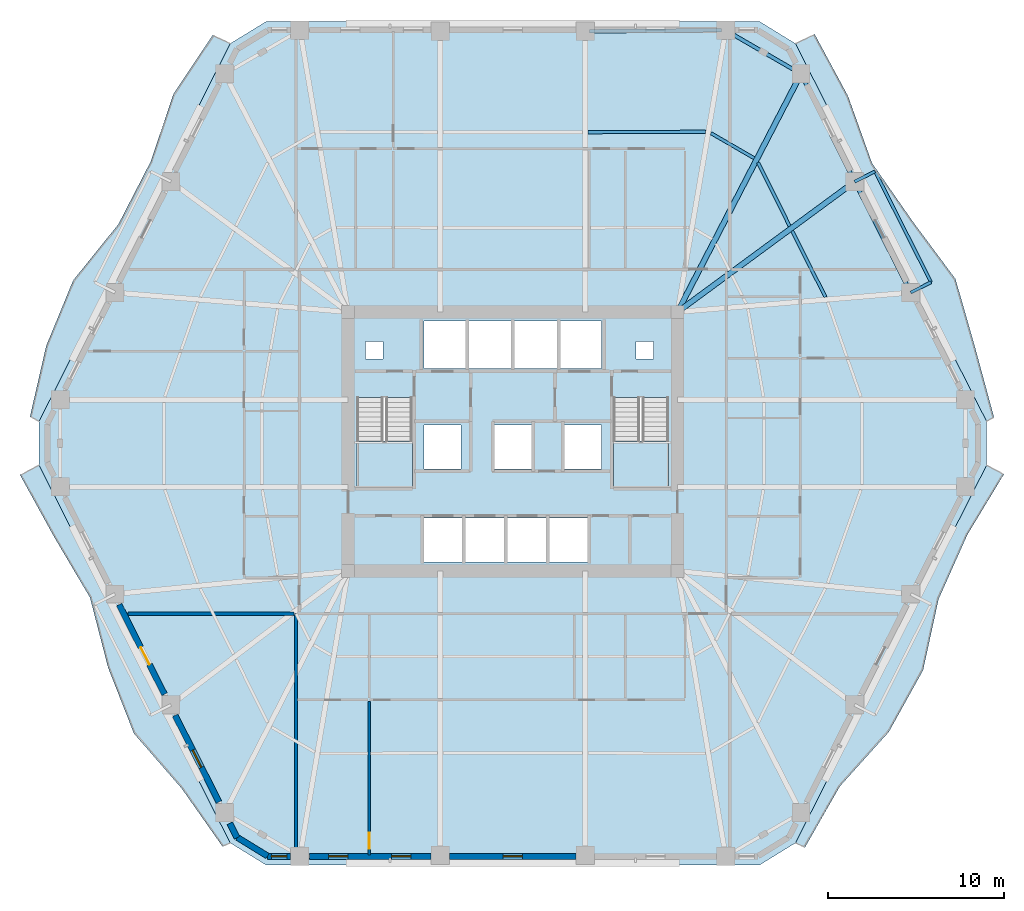
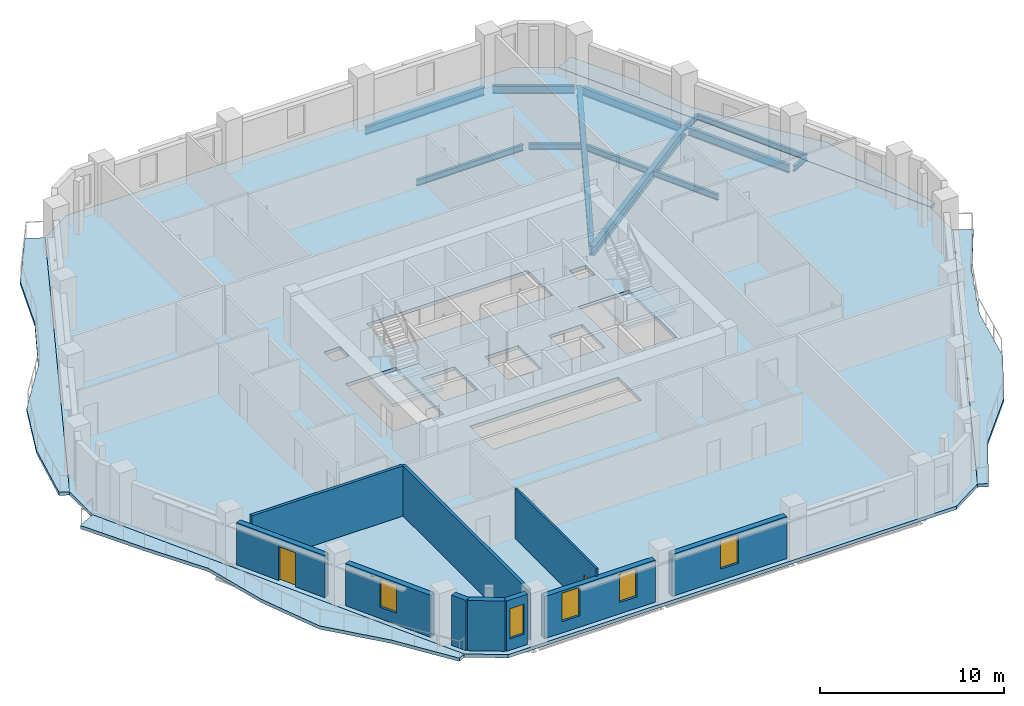
# One storey, part 3 of 13: 13 beams, 10 walls, 7 slabs, 5 windows, 2 doors, 7 openings, 2 elements without a shape of their own.
"""IFC4 building model written with IfcOpenShell, lengths in metres."""

from ifc_helpers import new_model, si_unit, direction, frame, frame_2d, origin, origin_2d, place, context, subcontext, project, spatial, polyline, rectangle, i_section, outline, extrude, material, layer, layer_set, material_profile, profile_set, type_object, element, fill, aggregate, save


model = new_model("IFC4")

# Units and contexts
model_context = context("Model", 3, precision=1e-05, world=origin(), true_north=direction((0.0, 1.0)))
body_context = subcontext(model_context, "Body", "Model", "MODEL_VIEW")
ifc_project = project(units=[si_unit("LENGTHUNIT", "METRE"), si_unit("AREAUNIT", "SQUARE_METRE"), si_unit("VOLUMEUNIT", "CUBIC_METRE"), si_unit("PLANEANGLEUNIT", "RADIAN"), si_unit("MASSUNIT", "GRAM", prefix="KILO")], contexts=[model_context])

# Site, building, storey
site_placement = place(None, origin())
site = spatial("IfcSite", under=ifc_project, at=site_placement, CompositionType="ELEMENT")
building_placement = place(site_placement, origin())
building = spatial("IfcBuilding", under=site, at=building_placement, Name="Cinnabar Lancet Tower", CompositionType="ELEMENT")
storey_placement = place(building_placement, frame((0.0, 0.0, 83.550048828125)))
storey = spatial("IfcBuildingStorey", under=building, at=storey_placement, Name="L21", CompositionType="ELEMENT", Elevation=83.550048828125)

# Beams
ifc_material_1 = material(Name="Structural steel S355", Category="steel")
ifc_material_profile_1 = material_profile(ifc_material_1, i_section(OverallWidth=0.177978515625, OverallDepth=0.406494140625, WebThickness=0.0078125, FlangeThickness=0.0126953125, FilletRadius=0.01025390625, at=origin_2d()), Name="UKB 406x178x60")
ifc_profile_set_1 = profile_set([ifc_material_profile_1], Name="Structural steel S355")
beam_type_1 = type_object("IfcBeamType", Name="STR-BM-JST-406", PredefinedType="JOIST", material=ifc_profile_set_1)
beam_1_placement = place(storey_placement, frame((50.194091796875, 34.1298828125, -0.423095703125), z_axis=(-0.450810882677, 0.892619486713, 0.0), x_axis=(-0.892619486713, -0.450810882677, 0.0)))
element("IfcBeam", 1, at=beam_1_placement, inside=storey, type_object=beam_type_1, Name="L21 Secondary Floor Joist 27", PredefinedType="JOIST", context=body_context, shape_type="SweptSolid", body=[
    extrude(i_section(OverallWidth=0.177978515625, OverallDepth=0.406494140625, WebThickness=0.0078125, FlangeThickness=0.0126953125, FilletRadius=0.01025390625, at=origin_2d()), origin(), (0.0, 0.0, 1.0), 4.20361328125),
])
beam_2_placement = place(storey_placement, frame((48.158935546875, 38.160888671875, -0.423095703125), z_axis=(-0.445714564636, 0.895175137541, 0.0), x_axis=(-0.895175137541, -0.445714564636, 0.0)))
element("IfcBeam", 2, at=beam_2_placement, inside=storey, type_object=beam_type_1, Name="L21 Secondary Floor Joist 29", PredefinedType="JOIST", context=body_context, shape_type="SweptSolid", body=[
    extrude(i_section(OverallWidth=0.177978515625, OverallDepth=0.406494140625, WebThickness=0.0078125, FlangeThickness=0.0126953125, FilletRadius=0.01025390625, at=origin_2d()), origin(), (0.0, 0.0, 1.0), 4.040771484375),
])
beam_3_placement = place(storey_placement, frame((46.139892578125, 42.02490234375, -0.423095703125), z_axis=(-0.865054959429, 0.501677104489, 0.0), x_axis=(-0.501677104489, -0.865054959429, 0.0)))
element("IfcBeam", 3, at=beam_3_placement, inside=storey, type_object=beam_type_1, Name="L21 Secondary Floor Joist 31", PredefinedType="JOIST", context=body_context, shape_type="SweptSolid", body=[
    extrude(i_section(OverallWidth=0.177978515625, OverallDepth=0.406494140625, WebThickness=0.0078125, FlangeThickness=0.0126953125, FilletRadius=0.01025390625, at=origin_2d()), origin(), (0.0, 0.0, 1.0), 2.852783203125),
])
beam_4_placement = place(storey_placement, frame((43.3740234375, 43.537109375, -0.423095703125), z_axis=(-0.999988425549, -0.004811316646, 0.0), x_axis=(0.004811316646, -0.999988425549, 0.0)))
element("IfcBeam", 4, at=beam_4_placement, inside=storey, type_object=beam_type_1, Name="L21 Secondary Floor Joist 33", PredefinedType="JOIST", context=body_context, shape_type="SweptSolid", body=[
    extrude(i_section(OverallWidth=0.177978515625, OverallDepth=0.406494140625, WebThickness=0.0078125, FlangeThickness=0.0126953125, FilletRadius=0.01025390625, at=origin_2d()), origin(), (0.0, 0.0, 1.0), 6.697998046875),
])
ifc_material_2 = material(Name="Structural steel S355", Category="steel")
ifc_material_profile_2 = material_profile(ifc_material_2, i_section(OverallWidth=0.209228515625, OverallDepth=0.533203125, WebThickness=0.010009765625, FlangeThickness=0.015625, FilletRadius=0.0126953125, at=origin_2d()), Name="UKB 533x210x92")
ifc_profile_set_2 = profile_set([ifc_material_profile_2], Name="Structural steel S355")
beam_type_2 = type_object("IfcBeamType", Name="STR-BM-SPN-533", PredefinedType="SPANDREL", material=ifc_profile_set_2)
beam_5_placement = place(storey_placement, frame((54.93310546875, 34.60302734375, -0.487060546875), z_axis=(-0.450703143926, 0.892673891214, 0.0), x_axis=(-0.892673891214, -0.450703143926, 0.0)))
element("IfcBeam", 5, at=beam_5_placement, inside=storey, type_object=beam_type_2, Name="L21 Perimeter Spandrel 10", PredefinedType="SPANDREL", context=body_context, shape_type="SweptSolid", body=[
    extrude(i_section(OverallWidth=0.209228515625, OverallDepth=0.533203125, WebThickness=0.010009765625, FlangeThickness=0.015625, FilletRadius=0.0126953125, at=origin_2d()), origin(), (0.0, 0.0, 1.0), 6.570068359375),
])
beam_6_placement = place(storey_placement, frame((51.748046875, 40.9150390625, -0.487060546875), z_axis=(-0.445953050023, 0.89505635419, 0.0), x_axis=(-0.89505635419, -0.445953050023, 0.0)))
element("IfcBeam", 6, at=beam_6_placement, inside=storey, type_object=beam_type_2, Name="L21 Perimeter Spandrel 11", PredefinedType="SPANDREL", context=body_context, shape_type="SweptSolid", body=[
    extrude(i_section(OverallWidth=0.209228515625, OverallDepth=0.533203125, WebThickness=0.010009765625, FlangeThickness=0.015625, FilletRadius=0.0126953125, at=origin_2d()), origin(), (0.0, 0.0, 1.0), 6.35498046875),
])
beam_7_placement = place(storey_placement, frame((48.5869140625, 46.951904296875, -0.487060546875), z_axis=(-0.865147238596, 0.501517951374, 0.0), x_axis=(-0.501517951374, -0.865147238596, 0.0)))
element("IfcBeam", 7, at=beam_7_placement, inside=storey, type_object=beam_type_2, Name="L21 Perimeter Spandrel 12", PredefinedType="SPANDREL", context=body_context, shape_type="SweptSolid", body=[
    extrude(i_section(OverallWidth=0.209228515625, OverallDepth=0.533203125, WebThickness=0.010009765625, FlangeThickness=0.015625, FilletRadius=0.0126953125, at=origin_2d()), origin(), (0.0, 0.0, 1.0), 4.454833984375),
])
beam_8_placement = place(storey_placement, frame((44.26708984375, 49.30908203125, -0.487060546875), z_axis=(-0.99997856757, -0.006547090947, 0.0), x_axis=(0.006547090947, -0.99997856757, 0.0)))
element("IfcBeam", 8, at=beam_8_placement, inside=storey, type_object=beam_type_2, Name="L21 Perimeter Spandrel 13", PredefinedType="SPANDREL", context=body_context, shape_type="SweptSolid", body=[
    extrude(i_section(OverallWidth=0.209228515625, OverallDepth=0.533203125, WebThickness=0.010009765625, FlangeThickness=0.015625, FilletRadius=0.0126953125, at=origin_2d()), origin(), (0.0, 0.0, 1.0), 7.495361328125),
])
ifc_material_3 = material(Name="Structural steel S355", Category="steel")
ifc_material_profile_3 = material_profile(ifc_material_3, i_section(OverallWidth=0.30712890625, OverallDepth=0.6201171875, WebThickness=0.01416015625, FlangeThickness=0.023681640625, FilletRadius=0.0166015625, at=origin_2d()), Name="UKB 610x305x179")
ifc_profile_set_3 = profile_set([ifc_material_profile_3], Name="Structural steel S355")
beam_type_3 = type_object("IfcBeamType", Name="STR-BM-UKB610-179", PredefinedType="BEAM", material=ifc_profile_set_3)
beam_9_placement = place(storey_placement, frame((51.85888671875, 40.69091796875, -0.530029296875), z_axis=(-0.805600633978, -0.592458959367, 0.0), x_axis=(0.592458959367, -0.805600633978, 0.0)))
element("IfcBeam", 9, at=beam_9_placement, inside=storey, type_object=beam_type_3, Name="L21 Corner Collector Girder 3", PredefinedType="BEAM", context=body_context, shape_type="SweptSolid", body=[
    extrude(i_section(OverallWidth=0.30712890625, OverallDepth=0.6201171875, WebThickness=0.01416015625, FlangeThickness=0.023681640625, FilletRadius=0.0166015625, at=origin_2d()), origin(), (0.0, 0.0, 1.0), 12.517333984375),
])
beam_10_placement = place(storey_placement, frame((48.802978515625, 46.826904296875, -0.530029296875), z_axis=(-0.4603745807, -0.887724757706, 0.0), x_axis=(0.887724757706, -0.4603745807, 0.0)))
element("IfcBeam", 10, at=beam_10_placement, inside=storey, type_object=beam_type_3, Name="L21 Primary Floor Girder 12", PredefinedType="BEAM", context=body_context, shape_type="SweptSolid", body=[
    extrude(i_section(OverallWidth=0.30712890625, OverallDepth=0.6201171875, WebThickness=0.01416015625, FlangeThickness=0.023681640625, FilletRadius=0.0166015625, at=origin_2d()), origin(), (0.0, 0.0, 1.0), 15.26611328125),
])
ifc_material_4 = material(Name="Structural steel S355", Category="steel")
ifc_material_profile_4 = material_profile(ifc_material_4, i_section(OverallWidth=0.17138671875, OverallDepth=0.35498046875, WebThickness=0.00732421875, FlangeThickness=0.011474609375, FilletRadius=0.01025390625, at=origin_2d()), Name="UKB 356x171x51")
ifc_profile_set_4 = profile_set([ifc_material_profile_4], Name="Structural steel S355")
beam_type_4 = type_object("IfcBeamType", Name="STR-BM-WAV-OUT", PredefinedType="BEAM", material=ifc_profile_set_4)
for number, where, z_axis, x_axis, name in (
    (11, (55.0458984375, 34.3798828125, -0.39697265625), (0.892238560088, 0.451564338597, 0.0), (-0.451564338597, 0.892238560088, 0.0), "L21 Face 3 Balcony Outlooker A"),
    (12, (51.85888671875, 40.69091796875, -0.39697265625), (0.892238560088, 0.451564338597, 0.0), (-0.451564338597, 0.892238560088, 0.0), "L21 Face 3 Balcony Outlooker B"),
):
    element("IfcBeam", number, at=place(storey_placement, frame(where, z_axis=z_axis, x_axis=x_axis)), inside=storey, type_object=beam_type_4, Name=name, PredefinedType="BEAM", context=body_context, shape_type="SweptSolid", body=[
        extrude(i_section(OverallWidth=0.17138671875, OverallDepth=0.35498046875, WebThickness=0.00732421875, FlangeThickness=0.011474609375, FilletRadius=0.01025390625, at=origin_2d()), origin(), (0.0, 0.0, 1.0), 1.30029296875),
    ])
ifc_material_5 = material(Name="Structural steel S355", Category="steel")
ifc_material_profile_5 = material_profile(ifc_material_5, i_section(OverallWidth=0.17138671875, OverallDepth=0.35498046875, WebThickness=0.00732421875, FlangeThickness=0.011474609375, FilletRadius=0.01025390625, at=origin_2d()), Name="UKB 356x171x51")
ifc_profile_set_5 = profile_set([ifc_material_profile_5], Name="Structural steel S355")
beam_type_5 = type_object("IfcBeamType", Name="STR-BM-WAV-TRIM", PredefinedType="SPANDREL", material=ifc_profile_set_5)
beam_11_placement = place(storey_placement, frame((56.2060546875, 34.967041015625, -0.39697265625), z_axis=(-0.450773692627, 0.892638268301, 0.0), x_axis=(-0.892638268301, -0.450773692627, 0.0)))
element("IfcBeam", 13, at=beam_11_placement, inside=storey, type_object=beam_type_5, Name="L21 Face 3 Balcony Edge Trimmer", PredefinedType="SPANDREL", context=body_context, shape_type="SweptSolid", body=[
    extrude(i_section(OverallWidth=0.17138671875, OverallDepth=0.35498046875, WebThickness=0.00732421875, FlangeThickness=0.011474609375, FilletRadius=0.01025390625, at=origin_2d()), origin(), (0.0, 0.0, 1.0), 7.070068359375),
])

# Stair, slab
ifc_material_6 = material(Name="Concrete C40/50", Category="concrete")
stair_type = type_object("IfcStairType", Name="ST-CORE", PredefinedType="HALF_TURN_STAIR", material=ifc_material_6)
stair_1_placement = place(storey_placement, origin())
stair_1 = element("IfcStair", 14, at=stair_1_placement, inside=storey, type_object=stair_type, Name="L21 ST-1", PredefinedType="HALF_TURN_STAIR")
ifc_material_7 = material(Name="Concrete C40/50", Category="concrete")
ifc_layer_1 = layer(ifc_material_7, 0.199951171875)
ifc_layer_set_1 = layer_set([ifc_layer_1], Name="Concrete C40/50")
slab_type_1 = type_object("IfcSlabType", Name="LANDING-CORE", PredefinedType="LANDING", material=ifc_layer_set_1)
slab_1_placement = place(storey_placement, frame((0.0, 0.0, 1.574951171875)))
slab_1 = element("IfcSlab", 15, at=slab_1_placement, type_object=slab_type_1, Name="ST-1 landing 1", PredefinedType="LANDING", context=body_context, shape_type="SweptSolid", body=[
    extrude(outline(polyline([(23.52490234375, 25.925048828125), (23.52490234375, 23.25), (26.675048828125, 23.25), (26.675048828125, 25.925048828125), (23.52490234375, 25.925048828125)])), origin(), (0.0, 0.0, 1.0), 0.199951171875),
])
aggregate(stair_1, [slab_1])

stair_2_placement = place(storey_placement, origin())
stair_2 = element("IfcStair", 16, at=stair_2_placement, inside=storey, type_object=stair_type, Name="L21 ST-2", PredefinedType="HALF_TURN_STAIR")
slab_2_placement = place(storey_placement, frame((0.0, 0.0, 1.574951171875)))
slab_2 = element("IfcSlab", 17, at=slab_2_placement, type_object=slab_type_1, Name="ST-2 landing 1", PredefinedType="LANDING", context=body_context, shape_type="SweptSolid", body=[
    extrude(outline(polyline([(38.125, 25.925048828125), (38.125, 23.25), (41.27490234375, 23.25), (41.27490234375, 25.925048828125), (38.125, 25.925048828125)])), origin(), (0.0, 0.0, 1.0), 0.199951171875),
])
aggregate(stair_2, [slab_2])

# Slabs
ifc_material_8 = material(Name="Concrete C40/50", Category="concrete")
ifc_layer_2 = layer(ifc_material_8, 0.219970703125)
ifc_layer_set_2 = layer_set([ifc_layer_2], Name="Concrete C40/50")
slab_type_2 = type_object("IfcSlabType", Name="STR-SLB-FLR-220", PredefinedType="FLOOR", material=ifc_layer_set_2)
slab_3_placement = place(storey_placement, frame((0.0, 0.0, -0.219970703125)))
element("IfcSlab", 18, at=slab_3_placement, inside=storey, type_object=slab_type_2, Name="L21 Structural Floor Slab", PredefinedType="FLOOR", context=body_context, shape_type="SweptSolid", body=[
    extrude(outline(polyline([(16.31201171875, 3.049072265625), (18.343994140625, 1.800048828125), (46.4560546875, 1.800048828125), (48.488037109375, 3.049072265625), (59.367919921875, 24.551025390625), (59.367919921875, 27.049072265625), (48.488037109375, 48.551025390625), (46.4560546875, 49.800048828125), (18.343994140625, 49.800048828125), (16.31201171875, 48.551025390625), (5.431884765625, 27.049072265625), (5.431884765625, 24.551025390625), (16.31201171875, 3.049072265625)]), holes=[polyline([(23.52490234375, 23.25), (26.675048828125, 23.25), (26.675048828125, 28.3994140625), (23.52490234375, 28.3994140625), (23.52490234375, 23.25)]), polyline([(38.125, 23.25), (41.27490234375, 23.25), (41.27490234375, 28.3994140625), (38.125, 28.3994140625), (38.125, 23.25)]), polyline([(27.35009765625, 30.050048828125), (37.449951171875, 30.050048828125), (37.449951171875, 32.75), (27.35009765625, 32.75), (27.35009765625, 30.050048828125)]), polyline([(27.35009765625, 19.050048828125), (36.64990234375, 19.050048828125), (36.64990234375, 21.550048828125), (27.35009765625, 21.550048828125), (27.35009765625, 19.050048828125)]), polyline([(27.35009765625, 24.35009765625), (29.449951171875, 24.35009765625), (29.449951171875, 26.85009765625), (27.35009765625, 26.85009765625), (27.35009765625, 24.35009765625)]), polyline([(35.35009765625, 24.35009765625), (37.449951171875, 24.35009765625), (37.449951171875, 26.85009765625), (35.35009765625, 26.85009765625), (35.35009765625, 24.35009765625)]), polyline([(31.35009765625, 24.35009765625), (33.449951171875, 24.35009765625), (33.449951171875, 26.85009765625), (31.35009765625, 26.85009765625), (31.35009765625, 24.35009765625)]), polyline([(24.0, 30.60009765625), (25.0, 30.60009765625), (25.0, 31.60009765625), (24.0, 31.60009765625), (24.0, 30.60009765625)]), polyline([(39.39990234375, 30.60009765625), (40.39990234375, 30.60009765625), (40.39990234375, 31.60009765625), (39.39990234375, 31.60009765625), (39.39990234375, 30.60009765625)])]), origin(), (0.0, 0.0, 1.0), 0.219970703125),
])
ifc_material_9 = material(Name="Concrete C45/55", Category="concrete")
ifc_layer_3 = layer(ifc_material_9, 0.219970703125)
ifc_layer_set_3 = layer_set([ifc_layer_3], Name="Concrete C45/55")
slab_type_3 = type_object("IfcSlabType", Name="STR-SLB-WAV-220", PredefinedType="FLOOR", material=ifc_layer_set_3)
slab_4_placement = place(storey_placement, frame((0.0, 0.0, -0.219970703125)))
element("IfcSlab", 19, at=slab_4_placement, inside=storey, type_object=slab_type_3, Name="L21 Face 2 Undulating Wave Balcony Slab", PredefinedType="FLOOR", context=body_context, shape_type="SweptSolid", body=[
    extrude(outline(polyline([(48.488037109375, 3.049072265625), (49.01708984375, 2.781005859375), (51.013916015625, 6.27197265625), (53.797119140625, 9.364990234375), (55.75, 12.8779296875), (56.634033203125, 16.931884765625), (58.27490234375, 20.60302734375), (60.35888671875, 24.050048828125), (59.367919921875, 24.551025390625), (48.488037109375, 3.049072265625)])), origin(), (0.0, 0.0, 1.0), 0.219970703125),
])
slab_5_placement = place(storey_placement, frame((0.0, 0.0, -0.219970703125)))
element("IfcSlab", 20, at=slab_5_placement, inside=storey, type_object=slab_type_3, Name="L21 Face 3 Undulating Wave Balcony Slab", PredefinedType="FLOOR", context=body_context, shape_type="SweptSolid", body=[
    extrude(outline(polyline([(59.367919921875, 27.049072265625), (59.79296875, 27.263916015625), (58.720947265625, 31.222900390625), (57.594970703125, 35.154052734375), (55.162109375, 38.424072265625), (52.843017578125, 41.751953125), (51.47900390625, 45.56298828125), (49.571044921875, 49.09912109375), (48.488037109375, 48.551025390625), (59.367919921875, 27.049072265625)])), origin(), (0.0, 0.0, 1.0), 0.219970703125),
])
slab_6_placement = place(storey_placement, frame((0.0, 0.0, -0.219970703125)))
element("IfcSlab", 21, at=slab_6_placement, inside=storey, type_object=slab_type_3, Name="L21 Face 5 Undulating Wave Balcony Slab", PredefinedType="FLOOR", context=body_context, shape_type="SweptSolid", body=[
    extrude(outline(polyline([(16.31201171875, 48.551025390625), (15.3310546875, 49.048095703125), (13.0830078125, 45.68408203125), (11.787109375, 41.837890625), (9.947998046875, 38.26806640625), (7.37109375, 35.070068359375), (5.837890625, 31.344970703125), (4.9130859375, 27.31201171875), (5.431884765625, 27.049072265625), (16.31201171875, 48.551025390625)])), origin(), (0.0, 0.0, 1.0), 0.219970703125),
])
slab_7_placement = place(storey_placement, frame((0.0, 0.0, -0.219970703125)))
element("IfcSlab", 22, at=slab_7_placement, inside=storey, type_object=slab_type_3, Name="L21 Face 6 Undulating Wave Balcony Slab", PredefinedType="FLOOR", context=body_context, shape_type="SweptSolid", body=[
    extrude(outline(polyline([(5.431884765625, 24.551025390625), (4.345947265625, 24.001953125), (6.282958984375, 20.48095703125), (8.33203125, 17.01611328125), (9.360107421875, 13.034912109375), (10.8330078125, 9.279052734375), (13.549072265625, 6.152099609375), (15.885009765625, 2.8330078125), (16.31201171875, 3.049072265625), (5.431884765625, 24.551025390625)])), origin(), (0.0, 0.0, 1.0), 0.219970703125),
])

# Walls
ifc_material_10 = material(Name="Fire-rated twin-frame acoustic drywall", Category="gypsum")
ifc_layer_4 = layer(ifc_material_10, 0.179931640625)
ifc_layer_set_4 = layer_set([ifc_layer_4], Name="Fire-rated twin-frame acoustic drywall")
wall_type_1 = type_object("IfcWallType", Name="ARC-WL-PARTY-180", PredefinedType="PARTITIONING", material=ifc_layer_set_4)
wall_1_placement = place(storey_placement, frame((20.050048828125, 2.455078125, 0.0), z_axis=(0.0, 0.0, 1.0), x_axis=(0.0, 1.0, 0.0)))
element("IfcWall", 23, at=wall_1_placement, inside=storey, type_object=wall_type_1, Name="PW-L21-SPTY-200", PredefinedType="PARTITIONING", context=body_context, shape_type="SweptSolid", body=[
    extrude(rectangle(XDim=13.64501953125, YDim=0.179931640625, at=frame_2d((6.822509765625, 0.0))), origin(), (0.0, 0.0, 1.0), 3.329833984375),
])
wall_2_placement = place(storey_placement, frame((10.488037109375, 16.10009765625, 0.0), z_axis=(0.0, 0.0, 1.0), x_axis=(1.0, 0.0, 0.0)))
element("IfcWall", 24, at=wall_2_placement, inside=storey, type_object=wall_type_1, Name="PW-L21-WSB", PredefinedType="PARTITIONING", context=body_context, shape_type="SweptSolid", body=[
    extrude(rectangle(XDim=9.467041015625, YDim=0.179931640625, at=frame_2d((4.7333984375, 0.0))), origin(), (0.0, 0.0, 1.0), 3.329833984375),
])

# Wall, opening, door
ifc_material_11 = material(Name="Gypsum plasterboard stud partition", Category="gypsum")
ifc_layer_5 = layer(ifc_material_11, 0.125)
ifc_layer_set_5 = layer_set([ifc_layer_5], Name="Gypsum plasterboard stud partition")
wall_type_2 = type_object("IfcWallType", Name="ARC-WL-UNIT-125", PredefinedType="PARTITIONING", material=ifc_layer_set_5)
wall_3_placement = place(storey_placement, frame((24.22998046875, 2.364990234375, 0.0), z_axis=(0.0, 0.0, 1.0), x_axis=(0.0, 1.0, 0.0)))
wall_3 = element("IfcWall", 25, at=wall_3_placement, inside=storey, type_object=wall_type_2, Name="UW-L21-S01-MBW", PredefinedType="PARTITIONING", context=body_context, shape_type="SweptSolid", body=[
    extrude(rectangle(XDim=8.748046875, YDim=0.125, at=frame_2d((4.3740234375, 0.0))), origin(), (0.0, 0.0, 1.0), 3.329833984375),
])
opening_1_placement = place(wall_3_placement, frame((0.35009765625, 0.0, 0.0)))
opening_1 = element("IfcOpeningElement", 26, at=opening_1_placement, cuts=wall_3, Name="Opening RD-01", PredefinedType="OPENING", context=body_context, shape_type="SweptSolid", body=[
    extrude(rectangle(XDim=0.919921875, YDim=2.14990234375, at=frame_2d((0.4599609375, 1.074951171875))), frame((0.0, 0.072509765625, 0.0), z_axis=(0.0, -1.0, 0.0), x_axis=(1.0, 0.0, 0.0)), (0.0, 0.0, 1.0), 0.14501953125),
])
ifc_material_12 = material(Name="Engineered timber bedroom door", Category="wood")
door_type_1 = type_object("IfcDoorType", Name="ARC-DR-ROOM", OperationType="NOTDEFINED", PredefinedType="DOOR", material=ifc_material_12)
door_1_placement = place(opening_1_placement, origin())
door_1 = element("IfcDoor", 27, at=door_1_placement, inside=storey, type_object=door_type_1, Name="DR-L21-S01-MBD", OperationType="SINGLE_SWING_LEFT", OverallHeight=2.14990234375, OverallWidth=0.919921875, PredefinedType="DOOR", context=body_context, shape_type="SweptSolid", body=[
    extrude(rectangle(XDim=0.919921875, YDim=2.14990234375, at=frame_2d((0.4599609375, 1.074951171875))), frame((0.0, 0.02490234375, 0.0), z_axis=(0.0, -1.0, 0.0), x_axis=(1.0, 0.0, 0.0)), (0.0, 0.0, 1.0), 0.050048828125),
])
fill(opening_1, door_1)

# Wall
ifc_material_13 = material(Name="Cinnabar red clay brick", Category="masonry")
ifc_layer_6 = layer(ifc_material_13, 0.340087890625)
ifc_layer_set_6 = layer_set([ifc_layer_6], Name="Cinnabar red clay brick")
wall_type_3 = type_object("IfcWallType", Name="ENV-WL-BRK-RED-340", PredefinedType="STANDARD", material=ifc_layer_set_6)
wall_4_placement = place(storey_placement, frame((16.719970703125, 3.362060546875, 0.0), z_axis=(0.0, 0.0, 1.0), x_axis=(0.851816122478, -0.523840904748, 0.0)))
element("IfcWall", 28, at=wall_4_placement, inside=storey, type_object=wall_type_3, Name="L21 Chamfered Corner Brick Pier 1.1", PredefinedType="STANDARD", context=body_context, shape_type="SweptSolid", body=[
    extrude(rectangle(XDim=2.01806640625, YDim=0.340087890625, at=frame_2d((1.009033203125, 0.0))), origin(), (0.0, 0.0, 1.0), 3.329833984375),
])

# Wall, opening, window
wall_5_placement = place(storey_placement, frame((18.43408203125, 2.280029296875, 0.0), z_axis=(0.0, 0.0, 1.0), x_axis=(1.0, 0.0, 0.0)))
wall_5 = element("IfcWall", 29, at=wall_5_placement, inside=storey, type_object=wall_type_3, Name="L21 Face 1 Masonry Bay Wall 1", PredefinedType="STANDARD", context=body_context, shape_type="SweptSolid", body=[
    extrude(rectangle(XDim=1.31982421875, YDim=0.340087890625, at=frame_2d((0.659912109375, 0.0))), origin(), (0.0, 0.0, 1.0), 3.329833984375),
])
opening_2_placement = place(wall_5_placement, frame((0.219970703125, 0.0, 0.75)))
opening_2 = element("IfcOpeningElement", 30, at=opening_2_placement, cuts=wall_5, Name="Opening WN-04", PredefinedType="OPENING", context=body_context, shape_type="SweptSolid", body=[
    extrude(rectangle(XDim=0.8798828125, YDim=2.0, at=frame_2d((0.43994140625, 1.0))), frame((0.0, 0.179931640625, 0.0), z_axis=(0.0, -1.0, 0.0), x_axis=(1.0, 0.0, 0.0)), (0.0, 0.0, 1.0), 0.360107421875),
])
ifc_material_14 = material(Name="Thermally broken bronze-anodized aluminium tall lancet window", Category="aluminium")
window_type = type_object("IfcWindowType", Name="ENV-WN-LANCET-1100", PartitioningType="SINGLE_PANEL", PredefinedType="WINDOW", material=ifc_material_14)
window_1_placement = place(opening_2_placement, origin())
window_1 = element("IfcWindow", 31, at=window_1_placement, inside=storey, type_object=window_type, Name="L21 Split-Bay Gothic Lancet Window 58", OverallHeight=2.0, OverallWidth=0.8798828125, PartitioningType="SINGLE_PANEL", PredefinedType="WINDOW", context=body_context, shape_type="SweptSolid", body=[
    extrude(rectangle(XDim=0.8798828125, YDim=2.0, at=frame_2d((0.43994140625, 1.0))), frame((0.0, 0.030029296875, 0.0), z_axis=(0.0, -1.0, 0.0), x_axis=(1.0, 0.0, 0.0)), (0.0, 0.0, 1.0), 0.06005859375),
])
fill(opening_2, window_1)

# Wall, openings, windows
wall_6_placement = place(storey_placement, frame((20.81201171875, 2.280029296875, 0.0), z_axis=(0.0, 0.0, 1.0), x_axis=(1.0, 0.0, 0.0)))
wall_6 = element("IfcWall", 32, at=wall_6_placement, inside=storey, type_object=wall_type_3, Name="L21 Face 1 Masonry Bay Wall 2", PredefinedType="STANDARD", context=body_context, shape_type="SweptSolid", body=[
    extrude(rectangle(XDim=6.93701171875, YDim=0.340087890625, at=frame_2d((3.468505859375, 0.0))), origin(), (0.0, 0.0, 1.0), 2.786865234375),
])
opening_3_placement = place(wall_6_placement, frame((1.10302734375, 0.0, 0.75)))
opening_3 = element("IfcOpeningElement", 33, at=opening_3_placement, cuts=wall_6, Name="Opening WN-04", PredefinedType="OPENING", context=body_context, shape_type="SweptSolid", body=[
    extrude(rectangle(XDim=1.10009765625, YDim=1.886962890625, at=frame_2d((0.550048828125, 0.943359375))), frame((0.0, 0.179931640625, 0.0), z_axis=(0.0, -1.0, 0.0), x_axis=(1.0, 0.0, 0.0)), (0.0, 0.0, 1.0), 0.360107421875),
])
opening_4_placement = place(wall_6_placement, frame((4.68408203125, 0.0, 0.75)))
opening_4 = element("IfcOpeningElement", 34, at=opening_4_placement, cuts=wall_6, Name="Opening WN-04", PredefinedType="OPENING", context=body_context, shape_type="SweptSolid", body=[
    extrude(rectangle(XDim=1.10009765625, YDim=1.886962890625, at=frame_2d((0.550048828125, 0.943359375))), frame((0.0, 0.179931640625, 0.0), z_axis=(0.0, -1.0, 0.0), x_axis=(1.0, 0.0, 0.0)), (0.0, 0.0, 1.0), 0.360107421875),
])
window_2_placement = place(opening_3_placement, origin())
window_2 = element("IfcWindow", 35, at=window_2_placement, inside=storey, type_object=window_type, Name="L21 Face 1 Gothic Lancet Window 2", OverallHeight=1.886962890625, OverallWidth=1.10009765625, PartitioningType="SINGLE_PANEL", PredefinedType="WINDOW", context=body_context, shape_type="SweptSolid", body=[
    extrude(rectangle(XDim=1.10009765625, YDim=1.886962890625, at=frame_2d((0.550048828125, 0.943359375))), frame((0.0, 0.030029296875, 0.0), z_axis=(0.0, -1.0, 0.0), x_axis=(1.0, 0.0, 0.0)), (0.0, 0.0, 1.0), 0.06005859375),
])
fill(opening_3, window_2)
window_3_placement = place(opening_4_placement, origin())
window_3 = element("IfcWindow", 36, at=window_3_placement, inside=storey, type_object=window_type, Name="L21 Split-Bay Gothic Lancet Window 59", OverallHeight=1.886962890625, OverallWidth=1.10009765625, PartitioningType="SINGLE_PANEL", PredefinedType="WINDOW", context=body_context, shape_type="SweptSolid", body=[
    extrude(rectangle(XDim=1.10009765625, YDim=1.886962890625, at=frame_2d((0.550048828125, 0.943359375))), frame((0.0, 0.030029296875, 0.0), z_axis=(0.0, -1.0, 0.0), x_axis=(1.0, 0.0, 0.0)), (0.0, 0.0, 1.0), 0.06005859375),
])
fill(opening_4, window_3)

# Wall, opening, window
wall_7_placement = place(storey_placement, frame((28.806884765625, 2.280029296875, 0.0), z_axis=(0.0, 0.0, 1.0), x_axis=(1.0, 0.0, 0.0)))
wall_7 = element("IfcWall", 37, at=wall_7_placement, inside=storey, type_object=wall_type_3, Name="L21 Face 1 Masonry Bay Wall 3", PredefinedType="STANDARD", context=body_context, shape_type="SweptSolid", body=[
    extrude(rectangle(XDim=7.18603515625, YDim=0.340087890625, at=frame_2d((3.593017578125, 0.0))), origin(), (0.0, 0.0, 1.0), 2.786865234375),
])
opening_5_placement = place(wall_7_placement, frame((3.04296875, 0.0, 0.75)))
opening_5 = element("IfcOpeningElement", 38, at=opening_5_placement, cuts=wall_7, Name="Opening WN-04", PredefinedType="OPENING", context=body_context, shape_type="SweptSolid", body=[
    extrude(rectangle(XDim=1.10009765625, YDim=1.886962890625, at=frame_2d((0.550048828125, 0.943359375))), frame((0.0, 0.179931640625, 0.0), z_axis=(0.0, -1.0, 0.0), x_axis=(1.0, 0.0, 0.0)), (0.0, 0.0, 1.0), 0.360107421875),
])
window_4_placement = place(opening_5_placement, origin())
window_4 = element("IfcWindow", 39, at=window_4_placement, inside=storey, type_object=window_type, Name="L21 Face 1 Gothic Lancet Window 3", OverallHeight=1.886962890625, OverallWidth=1.10009765625, PartitioningType="SINGLE_PANEL", PredefinedType="WINDOW", context=body_context, shape_type="SweptSolid", body=[
    extrude(rectangle(XDim=1.10009765625, YDim=1.886962890625, at=frame_2d((0.550048828125, 0.943359375))), frame((0.0, 0.030029296875, 0.0), z_axis=(0.0, -1.0, 0.0), x_axis=(1.0, 0.0, 0.0)), (0.0, 0.0, 1.0), 0.06005859375),
])
fill(opening_5, window_4)

# Wall, opening, door
wall_8_placement = place(storey_placement, frame((9.986083984375, 16.614013671875, 0.0), z_axis=(0.0, 0.0, 1.0), x_axis=(0.45158267371, -0.892229280401, 0.0)))
wall_8 = element("IfcWall", 40, at=wall_8_placement, inside=storey, type_object=wall_type_3, Name="L21 Face 6 Masonry Bay Wall 3", PredefinedType="STANDARD", context=body_context, shape_type="SweptSolid", body=[
    extrude(rectangle(XDim=5.715087890625, YDim=0.340087890625, at=frame_2d((2.857421875, 0.0))), origin(), (0.0, 0.0, 1.0), 2.786865234375),
])
opening_6_placement = place(wall_8_placement, frame((2.720947265625, 0.0, 0.0)))
opening_6 = element("IfcOpeningElement", 41, at=opening_6_placement, cuts=wall_8, Name="Opening TD-01", PredefinedType="OPENING", context=body_context, shape_type="SweptSolid", body=[
    extrude(rectangle(XDim=1.10009765625, YDim=2.25, at=frame_2d((0.550048828125, 1.125))), frame((0.0, 0.179931640625, 0.0), z_axis=(0.0, -1.0, 0.0), x_axis=(1.0, 0.0, 0.0)), (0.0, 0.0, 1.0), 0.360107421875),
])
ifc_material_15 = material(Name="Thermally broken low-E glazed balcony terrace door", Category="wood")
door_type_2 = type_object("IfcDoorType", Name="ARC-DR-BALC", OperationType="NOTDEFINED", PredefinedType="DOOR", material=ifc_material_15)
door_2_placement = place(opening_6_placement, origin())
door_2 = element("IfcDoor", 42, at=door_2_placement, inside=storey, type_object=door_type_2, Name="L21 Face 6 Glazed Terrace Door", OperationType="SINGLE_SWING_RIGHT", OverallHeight=2.25, OverallWidth=1.10009765625, PredefinedType="DOOR", context=body_context, shape_type="SweptSolid", body=[
    extrude(rectangle(XDim=1.10009765625, YDim=2.25, at=frame_2d((0.550048828125, 1.125))), frame((0.0, 0.02490234375, 0.0), z_axis=(0.0, -1.0, 0.0), x_axis=(1.0, 0.0, 0.0)), (0.0, 0.0, 1.0), 0.050048828125),
])
fill(opening_6, door_2)

# Wall, opening, window
wall_9_placement = place(storey_placement, frame((13.178955078125, 10.302978515625, 0.0), z_axis=(0.0, 0.0, 1.0), x_axis=(0.451719795315, -0.892159866011, 0.0)))
wall_9 = element("IfcWall", 43, at=wall_9_placement, inside=storey, type_object=wall_type_3, Name="L21 Face 6 Masonry Bay Wall 4", PredefinedType="STANDARD", context=body_context, shape_type="SweptSolid", body=[
    extrude(rectangle(XDim=5.519287109375, YDim=0.340087890625, at=frame_2d((2.759765625, 0.0))), origin(), (0.0, 0.0, 1.0), 2.786865234375),
])
opening_7_placement = place(wall_9_placement, frame((2.2099609375, 0.0, 0.75)))
opening_7 = element("IfcOpeningElement", 44, at=opening_7_placement, cuts=wall_9, Name="Opening WN-04", PredefinedType="OPENING", context=body_context, shape_type="SweptSolid", body=[
    extrude(rectangle(XDim=1.10009765625, YDim=1.886962890625, at=frame_2d((0.550048828125, 0.943359375))), frame((0.0, 0.179931640625, 0.0), z_axis=(0.0, -1.0, 0.0), x_axis=(1.0, 0.0, 0.0)), (0.0, 0.0, 1.0), 0.360107421875),
])
window_5_placement = place(opening_7_placement, origin())
window_5 = element("IfcWindow", 45, at=window_5_placement, inside=storey, type_object=window_type, Name="L21 Face 6 Gothic Lancet Window 4", OverallHeight=1.886962890625, OverallWidth=1.10009765625, PartitioningType="SINGLE_PANEL", PredefinedType="WINDOW", context=body_context, shape_type="SweptSolid", body=[
    extrude(rectangle(XDim=1.10009765625, YDim=1.886962890625, at=frame_2d((0.550048828125, 0.943359375))), frame((0.0, 0.030029296875, 0.0), z_axis=(0.0, -1.0, 0.0), x_axis=(1.0, 0.0, 0.0)), (0.0, 0.0, 1.0), 0.06005859375),
])
fill(opening_7, window_5)

# Wall
wall_10_placement = place(storey_placement, frame((16.283935546875, 4.1669921875, 0.0), z_axis=(0.0, 0.0, 1.0), x_axis=(0.451981678291, -0.892027220711, 0.0)))
element("IfcWall", 46, at=wall_10_placement, inside=storey, type_object=wall_type_3, Name="L21 Face 6 Masonry Bay Wall 5", PredefinedType="STANDARD", context=body_context, shape_type="SweptSolid", body=[
    extrude(rectangle(XDim=0.92041015625, YDim=0.340087890625, at=frame_2d((0.460205078125, 0.0))), origin(), (0.0, 0.0, 1.0), 3.329833984375),
])

save(model, "model.ifc")
